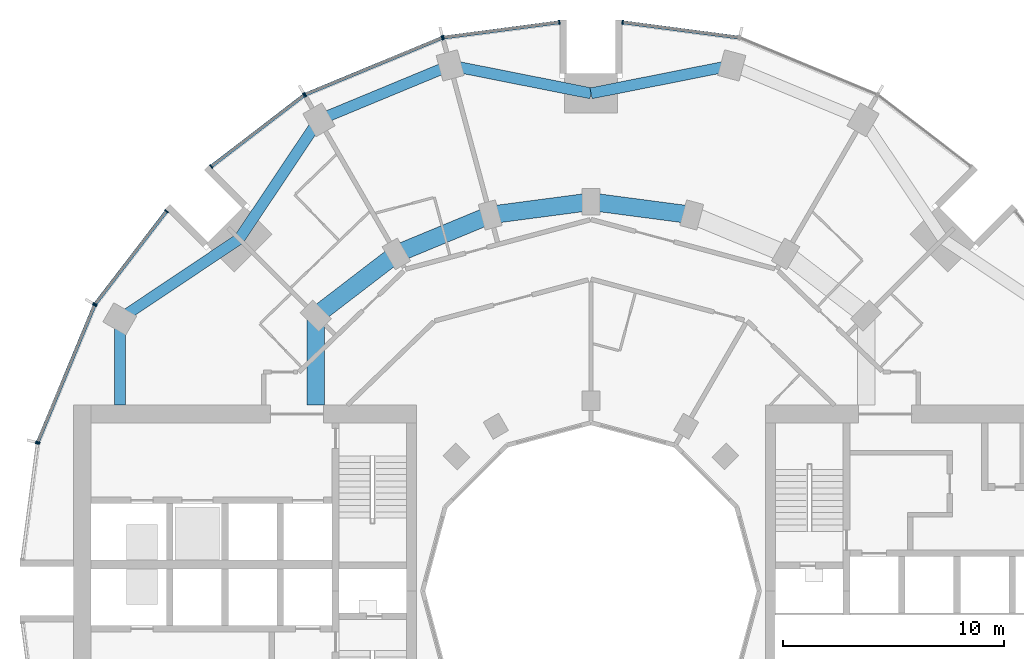
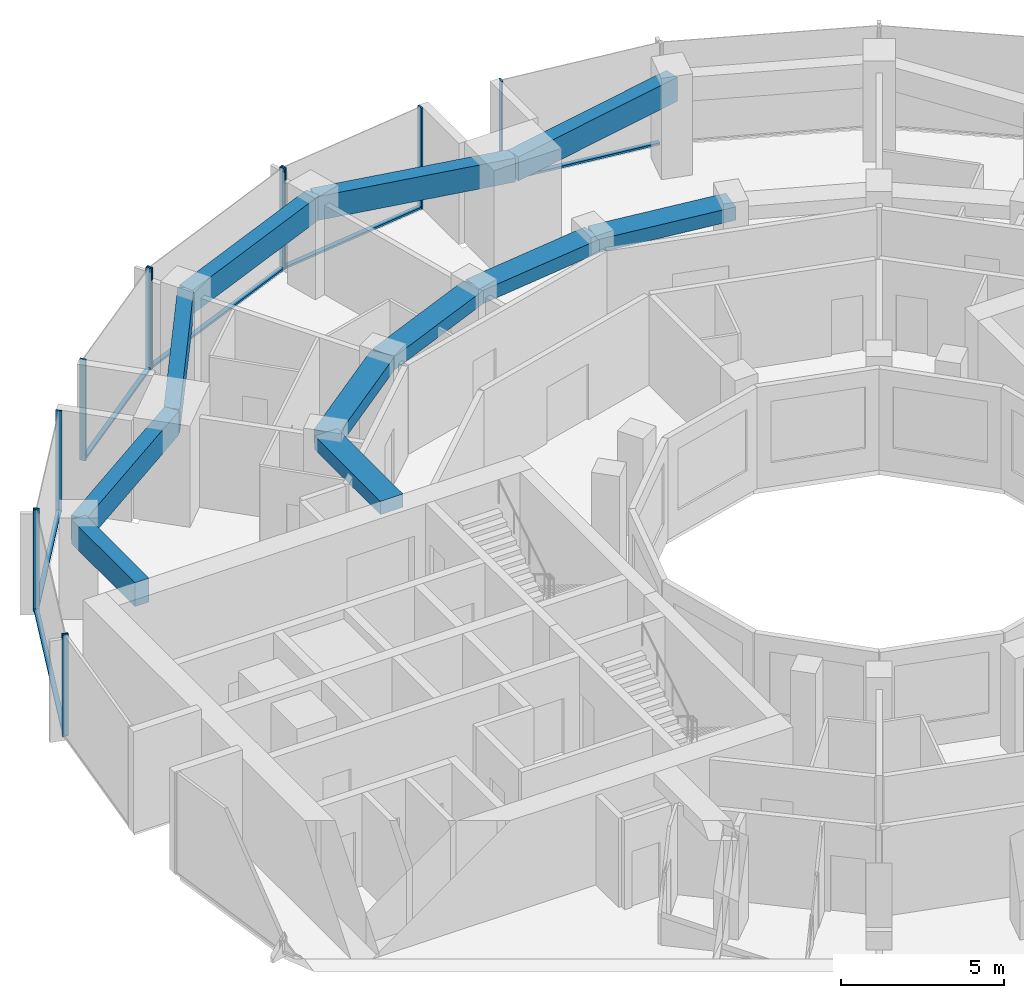
# One storey, part 5 of 15: 18 members, 11 beams, 7 elements without a shape of their own.
"""IFC4 building model written with IfcOpenShell, lengths in metres."""

from ifc_helpers import new_model, si_unit, direction, frame, origin, origin_2d, place, context, subcontext, project, spatial, rectangle, extrude, material, layer, layer_set, material_profile, profile_set, type_object, element, aggregate, save


model = new_model("IFC4")

# Units and contexts
model_context = context("Model", 3, precision=1e-05, world=origin(), true_north=direction((0.0, 1.0)))
body_context = subcontext(model_context, "Body", "Model", "MODEL_VIEW")
ifc_project = project(units=[si_unit("LENGTHUNIT", "METRE"), si_unit("AREAUNIT", "SQUARE_METRE"), si_unit("VOLUMEUNIT", "CUBIC_METRE"), si_unit("PLANEANGLEUNIT", "RADIAN"), si_unit("MASSUNIT", "GRAM", prefix="KILO")], contexts=[model_context])

# Site, building, storey
site_placement = place(None, origin())
site = spatial("IfcSite", under=ifc_project, at=site_placement, CompositionType="ELEMENT")
building_placement = place(site_placement, origin())
building = spatial("IfcBuilding", under=site, at=building_placement, Name="Torre Brocal", CompositionType="ELEMENT")
storey_placement = place(building_placement, frame((0.0, 0.0, 97.60009765625)))
storey = spatial("IfcBuildingStorey", under=building, at=storey_placement, Name="L22", CompositionType="ELEMENT", Elevation=97.60009765625)

# Curtain wall, member
ifc_material_1 = material(Name="Aluminium and glass", Category="aluminium")
ifc_layer_1 = layer(ifc_material_1, 0.199951171875)
ifc_layer_set_1 = layer_set([ifc_layer_1], Name="Aluminium and glass")
curtain_wall_type_1 = type_object("IfcCurtainWallType", Name="CW-1 CURTAIN WALL 3800 HIGH", PredefinedType="NOTDEFINED", material=ifc_layer_set_1)
curtain_wall_1_placement = place(storey_placement, origin())
curtain_wall_1 = element("IfcCurtainWall", 1, at=curtain_wall_1_placement, inside=storey, type_object=curtain_wall_type_1, Name="CW-1 RUN 6", PredefinedType="NOTDEFINED")
ifc_material_2 = material(Name="Aluminium, dark anodised", Category="aluminium")
ifc_material_profile_1 = material_profile(ifc_material_2, rectangle(XDim=0.199951171875, YDim=0.06005859375, at=origin_2d()), Name="CW-1 MULLION 60X200")
ifc_profile_set_1 = profile_set([ifc_material_profile_1], Name="Aluminium, dark anodised")
member_type_1 = type_object("IfcMemberType", Name="CW-1 MULLION 60X200", PredefinedType="MULLION", material=ifc_profile_set_1)
member_1_placement = place(storey_placement, frame((81.4296875, 100.7109375, 0.0), z_axis=(0.0, 0.0, 1.0), x_axis=(-0.13052619222, -0.991444861374, 0.0)))
member_1 = element("IfcMember", 2, at=member_1_placement, type_object=member_type_1, Name="CW1-1 mullion 2", PredefinedType="MULLION", context=body_context, shape_type="SweptSolid", body=[
    extrude(rectangle(XDim=0.199951171875, YDim=0.06005859375, at=origin_2d()), origin(), (0.0, 0.0, 1.0), 3.7998046875),
])

# Curtain wall, members
curtain_wall_2_placement = place(storey_placement, origin())
curtain_wall_2 = element("IfcCurtainWall", 3, at=curtain_wall_2_placement, inside=storey, type_object=curtain_wall_type_1, Name="CW-1 RUN 7", PredefinedType="NOTDEFINED")
member_2_placement = place(storey_placement, frame((78.5703125, 100.7109375, 0.0), z_axis=(0.0, 0.0, 1.0), x_axis=(0.13052619222, -0.991444861374, 0.0)))
member_2 = element("IfcMember", 4, at=member_2_placement, type_object=member_type_1, Name="CW1-1 mullion 1", PredefinedType="MULLION", context=body_context, shape_type="SweptSolid", body=[
    extrude(rectangle(XDim=0.199951171875, YDim=0.06005859375, at=origin_2d()), origin(), (0.0, 0.0, 1.0), 3.7998046875),
])
member_3_placement = place(storey_placement, frame((73.32666015625, 100.0205078125, 0.0), z_axis=(0.0, 0.0, 1.0), x_axis=(0.13052619222, -0.991444861374, 0.0)))
member_3 = element("IfcMember", 5, at=member_3_placement, type_object=member_type_1, Name="CW1-1 mullion 2", PredefinedType="MULLION", context=body_context, shape_type="SweptSolid", body=[
    extrude(rectangle(XDim=0.199951171875, YDim=0.06005859375, at=origin_2d()), origin(), (0.0, 0.0, 1.0), 3.7998046875),
])

curtain_wall_3_placement = place(storey_placement, origin())
curtain_wall_3 = element("IfcCurtainWall", 6, at=curtain_wall_3_placement, inside=storey, type_object=curtain_wall_type_1, Name="CW-1 RUN 8", PredefinedType="NOTDEFINED")
member_4_placement = place(storey_placement, frame((73.26904296875, 100.005126953125, 0.0), z_axis=(0.0, 0.0, 1.0), x_axis=(0.382683432333, -0.923879532525, 0.0)))
member_4 = element("IfcMember", 7, at=member_4_placement, type_object=member_type_1, Name="CW1-1 mullion 1", PredefinedType="MULLION", context=body_context, shape_type="SweptSolid", body=[
    extrude(rectangle(XDim=0.199951171875, YDim=0.06005859375, at=origin_2d()), origin(), (0.0, 0.0, 1.0), 3.7998046875),
])
member_5_placement = place(storey_placement, frame((67.078125, 97.440673828125, 0.0), z_axis=(0.0, 0.0, 1.0), x_axis=(0.382683432333, -0.923879532525, 0.0)))
member_5 = element("IfcMember", 8, at=member_5_placement, type_object=member_type_1, Name="CW1-1 mullion 2", PredefinedType="MULLION", context=body_context, shape_type="SweptSolid", body=[
    extrude(rectangle(XDim=0.199951171875, YDim=0.06005859375, at=origin_2d()), origin(), (0.0, 0.0, 1.0), 3.7998046875),
])

curtain_wall_4_placement = place(storey_placement, origin())
curtain_wall_4 = element("IfcCurtainWall", 9, at=curtain_wall_4_placement, inside=storey, type_object=curtain_wall_type_1, Name="CW-1 RUN 9", PredefinedType="NOTDEFINED")
member_6_placement = place(storey_placement, frame((67.026611328125, 97.4111328125, 0.0), z_axis=(0.0, 0.0, 1.0), x_axis=(0.60876142905, -0.793353340259, 0.0)))
member_6 = element("IfcMember", 10, at=member_6_placement, type_object=member_type_1, Name="CW1-1 mullion 1", PredefinedType="MULLION", context=body_context, shape_type="SweptSolid", body=[
    extrude(rectangle(XDim=0.199951171875, YDim=0.06005859375, at=origin_2d()), origin(), (0.0, 0.0, 1.0), 3.7998046875),
])
member_7_placement = place(storey_placement, frame((62.83056640625, 94.19140625, 0.0), z_axis=(0.0, 0.0, 1.0), x_axis=(0.60876142905, -0.793353340259, 0.0)))
member_7 = element("IfcMember", 11, at=member_7_placement, type_object=member_type_1, Name="CW1-1 mullion 2", PredefinedType="MULLION", context=body_context, shape_type="SweptSolid", body=[
    extrude(rectangle(XDim=0.199951171875, YDim=0.06005859375, at=origin_2d()), origin(), (0.0, 0.0, 1.0), 3.7998046875),
])

curtain_wall_5_placement = place(storey_placement, origin())
curtain_wall_5 = element("IfcCurtainWall", 12, at=curtain_wall_5_placement, inside=storey, type_object=curtain_wall_type_1, Name="CW-1 RUN 10", PredefinedType="NOTDEFINED")
member_8_placement = place(storey_placement, frame((60.80859375, 92.16943359375, 0.0), z_axis=(0.0, 0.0, 1.0), x_axis=(0.793353340259, -0.60876142905, 0.0)))
member_8 = element("IfcMember", 13, at=member_8_placement, type_object=member_type_1, Name="CW1-1 mullion 1", PredefinedType="MULLION", context=body_context, shape_type="SweptSolid", body=[
    extrude(rectangle(XDim=0.199951171875, YDim=0.06005859375, at=origin_2d()), origin(), (0.0, 0.0, 1.0), 3.7998046875),
])
member_9_placement = place(storey_placement, frame((57.5888671875, 87.973388671875, 0.0), z_axis=(0.0, 0.0, 1.0), x_axis=(0.793353340259, -0.60876142905, 0.0)))
member_9 = element("IfcMember", 14, at=member_9_placement, type_object=member_type_1, Name="CW1-1 mullion 2", PredefinedType="MULLION", context=body_context, shape_type="SweptSolid", body=[
    extrude(rectangle(XDim=0.199951171875, YDim=0.06005859375, at=origin_2d()), origin(), (0.0, 0.0, 1.0), 3.7998046875),
])

curtain_wall_6_placement = place(storey_placement, origin())
curtain_wall_6 = element("IfcCurtainWall", 15, at=curtain_wall_6_placement, inside=storey, type_object=curtain_wall_type_1, Name="CW-1 RUN 11", PredefinedType="NOTDEFINED")
member_10_placement = place(storey_placement, frame((57.559326171875, 87.921875, 0.0), z_axis=(0.0, 0.0, 1.0), x_axis=(0.923879532525, -0.382683432333, 0.0)))
member_10 = element("IfcMember", 16, at=member_10_placement, type_object=member_type_1, Name="CW1-1 mullion 1", PredefinedType="MULLION", context=body_context, shape_type="SweptSolid", body=[
    extrude(rectangle(XDim=0.199951171875, YDim=0.06005859375, at=origin_2d()), origin(), (0.0, 0.0, 1.0), 3.7998046875),
])
member_11_placement = place(storey_placement, frame((54.994873046875, 81.73095703125, 0.0), z_axis=(0.0, 0.0, 1.0), x_axis=(0.923879532525, -0.382683432333, 0.0)))
member_11 = element("IfcMember", 17, at=member_11_placement, type_object=member_type_1, Name="CW1-1 mullion 2", PredefinedType="MULLION", context=body_context, shape_type="SweptSolid", body=[
    extrude(rectangle(XDim=0.199951171875, YDim=0.06005859375, at=origin_2d()), origin(), (0.0, 0.0, 1.0), 3.7998046875),
])

# Member
ifc_material_3 = material(Name="Aluminium, dark anodised", Category="aluminium")
ifc_material_profile_2 = material_profile(ifc_material_3, rectangle(XDim=0.159912109375, YDim=0.080078125, at=origin_2d()), Name="CW-1 TRANSOM 160X80")
ifc_profile_set_2 = profile_set([ifc_material_profile_2], Name="Aluminium, dark anodised")
member_type_2 = type_object("IfcMemberType", Name="CW-1 TRANSOM 160X80", PredefinedType="USERDEFINED", material=ifc_profile_set_2)
member_12_placement = place(storey_placement, frame((86.643798828125, 100.0244140625, 0.039794921875), z_axis=(-0.991442690863, 0.130542677827, 0.0), x_axis=(-0.130542677827, -0.991442690863, 0.0)))
member_12 = element("IfcMember", 18, at=member_12_placement, type_object=member_type_2, Name="CW1-1 transom 1.1", ObjectType="TRANSOM", PredefinedType="USERDEFINED", context=body_context, shape_type="SweptSolid", body=[
    extrude(rectangle(XDim=0.159912109375, YDim=0.080078125, at=origin_2d()), origin(), (0.0, 0.0, 1.0), 5.22900390625),
])

aggregate(curtain_wall_1, [member_1, member_12])

member_13_placement = place(storey_placement, frame((78.54052734375, 100.70703125, 0.039794921875), z_axis=(-0.991442690863, -0.130542677827, 0.0), x_axis=(0.130542677827, -0.991442690863, 0.0)))
member_13 = element("IfcMember", 19, at=member_13_placement, type_object=member_type_2, Name="CW1-1 transom 1.1", ObjectType="TRANSOM", PredefinedType="USERDEFINED", context=body_context, shape_type="SweptSolid", body=[
    extrude(rectangle(XDim=0.159912109375, YDim=0.080078125, at=origin_2d()), origin(), (0.0, 0.0, 1.0), 5.22900390625),
])

aggregate(curtain_wall_2, [member_2, member_3, member_13])

member_14_placement = place(storey_placement, frame((73.241455078125, 99.99365234375, 0.039794921875), z_axis=(-0.923887344364, -0.38266457234, 0.0), x_axis=(0.38266457234, -0.923887344364, 0.0)))
member_14 = element("IfcMember", 20, at=member_14_placement, type_object=member_type_2, Name="CW1-1 transom 1.1", ObjectType="TRANSOM", PredefinedType="USERDEFINED", context=body_context, shape_type="SweptSolid", body=[
    extrude(rectangle(XDim=0.159912109375, YDim=0.080078125, at=origin_2d()), origin(), (0.0, 0.0, 1.0), 6.640869140625),
])

aggregate(curtain_wall_3, [member_4, member_5, member_14])

member_15_placement = place(storey_placement, frame((67.0029296875, 97.392822265625, 0.039794921875), z_axis=(-0.79336281513, -0.60874908096, 0.0), x_axis=(0.60874908096, -0.79336281513, 0.0)))
member_15 = element("IfcMember", 21, at=member_15_placement, type_object=member_type_2, Name="CW1-1 transom 1.1", ObjectType="TRANSOM", PredefinedType="USERDEFINED", context=body_context, shape_type="SweptSolid", body=[
    extrude(rectangle(XDim=0.159912109375, YDim=0.080078125, at=origin_2d()), origin(), (0.0, 0.0, 1.0), 5.22900390625),
])

aggregate(curtain_wall_4, [member_6, member_7, member_15])

member_16_placement = place(storey_placement, frame((60.790283203125, 92.1455078125, 0.039794921875), z_axis=(-0.60874908096, -0.79336281513, 0.0), x_axis=(0.79336281513, -0.60874908096, 0.0)))
member_16 = element("IfcMember", 22, at=member_16_placement, type_object=member_type_2, Name="CW1-1 transom 1.1", ObjectType="TRANSOM", PredefinedType="USERDEFINED", context=body_context, shape_type="SweptSolid", body=[
    extrude(rectangle(XDim=0.159912109375, YDim=0.080078125, at=origin_2d()), origin(), (0.0, 0.0, 1.0), 5.22900390625),
])

aggregate(curtain_wall_5, [member_8, member_9, member_16])

member_17_placement = place(storey_placement, frame((57.547607421875, 87.89404296875, 0.039794921875), z_axis=(-0.38266457234, -0.923887344364, 0.0), x_axis=(0.923887344364, -0.38266457234, 0.0)))
member_17 = element("IfcMember", 23, at=member_17_placement, type_object=member_type_2, Name="CW1-1 transom 1.1", ObjectType="TRANSOM", PredefinedType="USERDEFINED", context=body_context, shape_type="SweptSolid", body=[
    extrude(rectangle(XDim=0.159912109375, YDim=0.080078125, at=origin_2d()), origin(), (0.0, 0.0, 1.0), 6.640869140625),
])

aggregate(curtain_wall_6, [member_10, member_11, member_17])

# Curtain wall, member
ifc_material_4 = material(Name="Aluminium and glass", Category="aluminium")
ifc_layer_2 = layer(ifc_material_4, 0.199951171875)
ifc_layer_set_2 = layer_set([ifc_layer_2], Name="Aluminium and glass")
curtain_wall_type_2 = type_object("IfcCurtainWallType", Name="CW-1B CURTAIN WALL 3800 HIGH", PredefinedType="NOTDEFINED", material=ifc_layer_set_2)
curtain_wall_7_placement = place(storey_placement, origin())
curtain_wall_7 = element("IfcCurtainWall", 24, at=curtain_wall_7_placement, inside=storey, type_object=curtain_wall_type_2, Name="CW-1B RUN 12", PredefinedType="NOTDEFINED")
ifc_material_5 = material(Name="Aluminium, dark anodised", Category="aluminium")
ifc_material_profile_3 = material_profile(ifc_material_5, rectangle(XDim=0.199951171875, YDim=0.06005859375, at=origin_2d()), Name="CW-1B MULLION 60X200")
ifc_profile_set_3 = profile_set([ifc_material_profile_3], Name="Aluminium, dark anodised")
member_type_3 = type_object("IfcMemberType", Name="CW-1B MULLION 60X200", PredefinedType="MULLION", material=ifc_profile_set_3)
member_18_placement = place(storey_placement, frame((54.9794921875, 81.67333984375, 0.0), z_axis=(0.0, 0.0, 1.0), x_axis=(0.991444861374, -0.13052619222, 0.0)))
member_18 = element("IfcMember", 25, at=member_18_placement, type_object=member_type_3, Name="CW1B-1 mullion 1", PredefinedType="MULLION", context=body_context, shape_type="SweptSolid", body=[
    extrude(rectangle(XDim=0.199951171875, YDim=0.06005859375, at=origin_2d()), origin(), (0.0, 0.0, 1.0), 3.7998046875),
])
aggregate(curtain_wall_7, [member_18])

# Beams
ifc_material_6 = material(Name="Concrete C50", Category="concrete")
ifc_material_profile_4 = material_profile(ifc_material_6, rectangle(XDim=0.800048828125, YDim=0.5, at=origin_2d()), Name="RC 800X500")
ifc_profile_set_4 = profile_set([ifc_material_profile_4], Name="Concrete C50")
beam_type_1 = type_object("IfcBeamType", Name="RC BEAM 800X500 C50 TOP 3480", PredefinedType="BEAM", material=ifc_profile_set_4)
for number, where, z_axis, x_axis, name in (
    (26, (84.55517578125, 92.000244140625, 3.22998046875), (-0.991440544449, 0.130558978332, 0.0), (-0.130558978332, -0.991440544449, 0.0), "Beam BT-19"),
    (27, (80.0, 92.60009765625, 3.22998046875), (-0.991440544449, -0.130558978332, 0.0), (0.130558978332, -0.991440544449, 0.0), "Beam BT-19"),
):
    element("IfcBeam", number, at=place(storey_placement, frame(where, z_axis=z_axis, x_axis=x_axis)), inside=storey, type_object=beam_type_1, Name=name, PredefinedType="BEAM", context=body_context, shape_type="SweptSolid", body=[
        extrude(rectangle(XDim=0.800048828125, YDim=0.5, at=origin_2d()), origin(), (0.0, 0.0, 1.0), 4.594482421875),
    ])
beam_1_placement = place(storey_placement, frame((75.44482421875, 92.000244140625, 3.22998046875), z_axis=(-0.923878240166, -0.382686552348, 0.0), x_axis=(0.382686552348, -0.923878240166, 0.0)))
element("IfcBeam", 28, at=beam_1_placement, inside=storey, type_object=beam_type_1, Name="Beam BT-19", PredefinedType="BEAM", context=body_context, shape_type="SweptSolid", body=[
    extrude(rectangle(XDim=0.800048828125, YDim=0.5, at=origin_2d()), origin(), (0.0, 0.0, 1.0), 4.5947265625),
])
beam_2_placement = place(storey_placement, frame((71.199951171875, 90.241943359375, 3.22998046875), z_axis=(-0.793358265959, -0.6087550097, 0.0), x_axis=(0.6087550097, -0.793358265959, 0.0)))
element("IfcBeam", 29, at=beam_2_placement, inside=storey, type_object=beam_type_1, Name="Beam BT-19", PredefinedType="BEAM", context=body_context, shape_type="SweptSolid", body=[
    extrude(rectangle(XDim=0.800048828125, YDim=0.5, at=origin_2d()), origin(), (0.0, 0.0, 1.0), 4.594482421875),
])
beam_3_placement = place(storey_placement, frame((67.554931640625, 87.445068359375, 3.22998046875), z_axis=(0.0, -1.0, 0.0), x_axis=(1.0, 0.0, 0.0)))
element("IfcBeam", 30, at=beam_3_placement, inside=storey, type_object=beam_type_1, Name="Beam BT-19", PredefinedType="BEAM", context=body_context, shape_type="SweptSolid", body=[
    extrude(rectangle(XDim=0.800048828125, YDim=0.5, at=origin_2d()), origin(), (0.0, 0.0, 1.0), 4.045166015625),
])
ifc_material_7 = material(Name="Concrete C50", Category="concrete")
ifc_material_profile_5 = material_profile(ifc_material_7, rectangle(XDim=0.5, YDim=0.89990234375, at=origin_2d()), Name="RC 500X900")
ifc_profile_set_5 = profile_set([ifc_material_profile_5], Name="Concrete C50")
beam_type_2 = type_object("IfcBeamType", Name="RC SPANDREL BEAM 500X900 C50 TOP 3480", PredefinedType="SPANDREL", material=ifc_profile_set_5)
for number, where, z_axis, x_axis, name in (
    (31, (86.366943359375, 98.76171875, 3.02978515625), (-0.980924907484, -0.194387051723, 0.0), (0.194387051723, -0.980924907484, 0.0), "Beam BT-20"),
    (32, (80.0, 97.5, 3.02978515625), (-0.980924907484, 0.194387051723, 0.0), (-0.194387051723, -0.980924907484, 0.0), "Beam BT-20"),
):
    element("IfcBeam", number, at=place(storey_placement, frame(where, z_axis=z_axis, x_axis=x_axis)), inside=storey, type_object=beam_type_2, Name=name, PredefinedType="SPANDREL", context=body_context, shape_type="SweptSolid", body=[
        extrude(rectangle(XDim=0.5, YDim=0.89990234375, at=origin_2d()), origin(), (0.0, 0.0, 1.0), 6.49072265625),
    ])
beam_4_placement = place(storey_placement, frame((73.633056640625, 98.76171875, 3.02978515625), z_axis=(-0.923882462513, -0.382676358639, 0.0), x_axis=(0.382676358639, -0.923882462513, 0.0)))
element("IfcBeam", 33, at=beam_4_placement, inside=storey, type_object=beam_type_2, Name="Beam BT-20", PredefinedType="SPANDREL", context=body_context, shape_type="SweptSolid", body=[
    extrude(rectangle(XDim=0.5, YDim=0.89990234375, at=origin_2d()), origin(), (0.0, 0.0, 1.0), 6.421875),
])
for number, where, z_axis, x_axis, name in (
    (34, (67.699951171875, 96.30419921875, 3.02978515625), (-0.556157602282, -0.831076844476, 0.0), (0.831076844476, -0.556157602282, 0.0), "Beam BT-20"),
    (35, (64.090087890625, 90.909912109375, 3.02978515625), (-0.831076844476, -0.556157602282, 0.0), (0.556157602282, -0.831076844476, 0.0), "Beam BT-20"),
):
    element("IfcBeam", number, at=place(storey_placement, frame(where, z_axis=z_axis, x_axis=x_axis)), inside=storey, type_object=beam_type_2, Name=name, PredefinedType="SPANDREL", context=body_context, shape_type="SweptSolid", body=[
        extrude(rectangle(XDim=0.5, YDim=0.89990234375, at=origin_2d()), origin(), (0.0, 0.0, 1.0), 6.49072265625),
    ])
beam_5_placement = place(storey_placement, frame((58.69580078125, 87.300048828125, 3.02978515625), z_axis=(0.0, -1.0, 0.0), x_axis=(1.0, 0.0, 0.0)))
element("IfcBeam", 36, at=beam_5_placement, inside=storey, type_object=beam_type_2, Name="Beam BT-20", PredefinedType="SPANDREL", context=body_context, shape_type="SweptSolid", body=[
    extrude(rectangle(XDim=0.5, YDim=0.89990234375, at=origin_2d()), origin(), (0.0, 0.0, 1.0), 3.900146484375),
])

save(model, "model.ifc")
